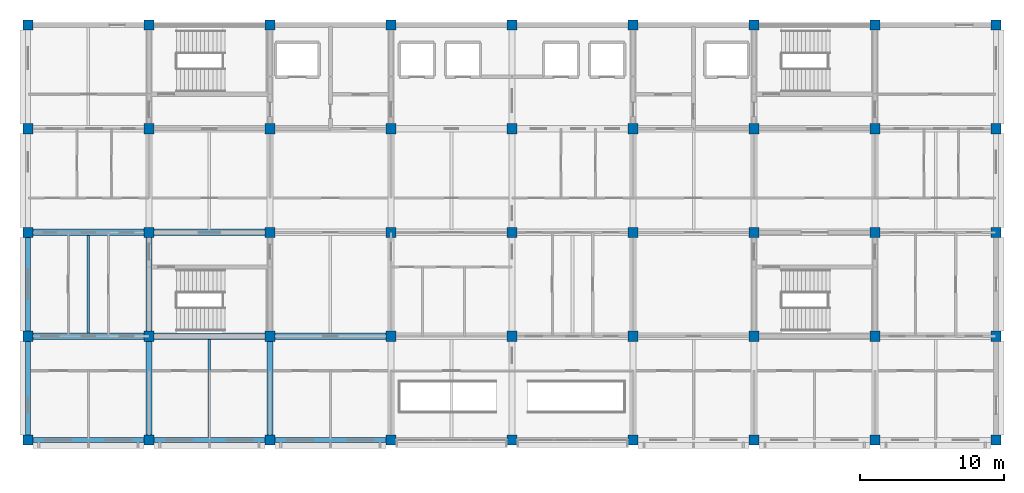
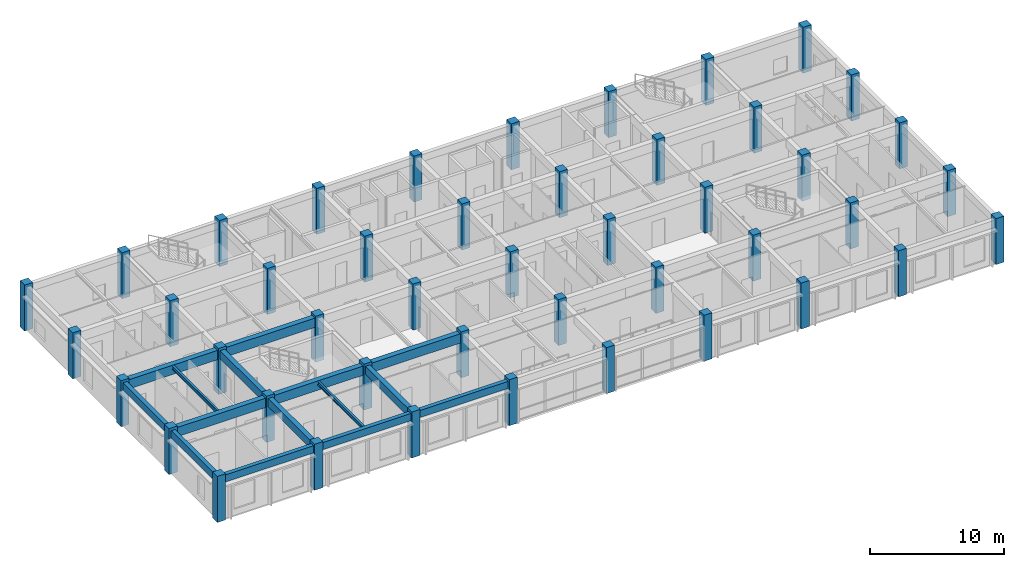
# One storey, part 1 of 17: 45 columns, 15 beams.
"""IFC4 building model written with IfcOpenShell, lengths in metres."""

from ifc_helpers import new_model, si_unit, direction, frame, origin, origin_2d, place, context, subcontext, project, spatial, rectangle, i_section, extrude, material, material_profile, profile_set, type_object, element, save


model = new_model("IFC4")

# Units and contexts
model_context = context("Model", 3, precision=1e-05, world=origin(), true_north=direction((0.0, 1.0)))
body_context = subcontext(model_context, "Body", "Model", "MODEL_VIEW")
ifc_project = project(units=[si_unit("LENGTHUNIT", "METRE"), si_unit("AREAUNIT", "SQUARE_METRE"), si_unit("VOLUMEUNIT", "CUBIC_METRE"), si_unit("PLANEANGLEUNIT", "RADIAN"), si_unit("MASSUNIT", "GRAM", prefix="KILO")], contexts=[model_context])

# Site, building, storey
site_placement = place(None, origin())
site = spatial("IfcSite", under=ifc_project, at=site_placement, CompositionType="ELEMENT")
building_placement = place(site_placement, origin())
building = spatial("IfcBuilding", under=site, at=building_placement, Name="Chengyuan Square Courthouse", CompositionType="ELEMENT")
storey_placement = place(building_placement, frame((0.0, 0.0, 51.89990234375)))
storey = spatial("IfcBuildingStorey", under=building, at=storey_placement, Name="L12", CompositionType="ELEMENT", Elevation=51.89990234375)

# Columns
ifc_material_1 = material(Name="Concrete C40", Category="concrete")
ifc_material_profile_1 = material_profile(ifc_material_1, rectangle(XDim=0.699951171875, YDim=0.699951171875, at=origin_2d()), Name="RC-COL-700x700")
ifc_profile_set_1 = profile_set([ifc_material_profile_1], Name="Concrete C40")
column_type = type_object("IfcColumnType", Name="CL-06", PredefinedType="COLUMN", material=ifc_profile_set_1)
for number, where, z_axis, x_axis, name in (
    (1, (50.39990234375, 79.199951171875, 0.0), (0.0, 0.0, 1.0), (1.0, 0.0, 0.0), "Column CL-L12-001"),
    (2, (50.39990234375, 86.39990234375, 0.0), (0.0, 0.0, 1.0), (1.0, 0.0, 0.0), "Column CL-L12-002"),
    (3, (50.39990234375, 93.60009765625, 0.0), (0.0, 0.0, 1.0), (1.0, 0.0, 0.0), "Column CL-L12-003"),
    (4, (50.39990234375, 100.800048828125, 0.0), (0.0, 0.0, 1.0), (1.0, 0.0, 0.0), "Column CL-L12-004"),
    (5, (50.39990234375, 108.0, 0.0), (0.0, 0.0, 1.0), (1.0, 0.0, 0.0), "Column CL-L12-005"),
    (6, (58.800048828125, 79.199951171875, 0.0), (0.0, 0.0, 1.0), (1.0, 0.0, 0.0), "Column CL-L12-006"),
    (7, (58.800048828125, 86.39990234375, 0.0), (0.0, 0.0, 1.0), (1.0, 0.0, 0.0), "Column CL-L12-007"),
    (8, (58.800048828125, 93.60009765625, 0.0), (0.0, 0.0, 1.0), (1.0, 0.0, 0.0), "Column CL-L12-008"),
    (9, (58.800048828125, 100.800048828125, 0.0), (0.0, 0.0, 1.0), (1.0, 0.0, 0.0), "Column CL-L12-009"),
    (10, (58.800048828125, 108.0, 0.0), (0.0, 0.0, 1.0), (1.0, 0.0, 0.0), "Column CL-L12-010"),
    (11, (67.199951171875, 79.199951171875, 0.0), (0.0, 0.0, 1.0), (1.0, 0.0, 0.0), "Column CL-L12-011"),
    (12, (67.199951171875, 86.39990234375, 0.0), (0.0, 0.0, 1.0), (1.0, 0.0, 0.0), "Column CL-L12-012"),
    (13, (67.199951171875, 93.60009765625, 0.0), (0.0, 0.0, 1.0), (1.0, 0.0, 0.0), "Column CL-L12-013"),
    (14, (67.199951171875, 100.800048828125, 0.0), (0.0, 0.0, 1.0), (1.0, 0.0, 0.0), "Column CL-L12-014"),
    (15, (67.199951171875, 108.0, 0.0), (0.0, 0.0, 1.0), (1.0, 0.0, 0.0), "Column CL-L12-015"),
    (16, (75.60009765625, 79.199951171875, 0.0), (0.0, 0.0, 1.0), (1.0, 0.0, 0.0), "Column CL-L12-016"),
    (17, (75.60009765625, 86.39990234375, 0.0), (0.0, 0.0, 1.0), (1.0, 0.0, 0.0), "Column CL-L12-017"),
    (18, (75.60009765625, 93.60009765625, 0.0), (0.0, 0.0, 1.0), (1.0, 0.0, 0.0), "Column CL-L12-018"),
    (19, (75.60009765625, 100.800048828125, 0.0), (0.0, 0.0, 1.0), (1.0, 0.0, 0.0), "Column CL-L12-019"),
    (20, (75.60009765625, 108.0, 0.0), (0.0, 0.0, 1.0), (1.0, 0.0, 0.0), "Column CL-L12-020"),
    (21, (84.0, 79.199951171875, 0.0), (0.0, 0.0, 1.0), (1.0, 0.0, 0.0), "Column CL-L12-021"),
    (22, (84.0, 86.39990234375, 0.0), (0.0, 0.0, 1.0), (1.0, 0.0, 0.0), "Column CL-L12-022"),
    (23, (84.0, 93.60009765625, 0.0), (0.0, 0.0, 1.0), (1.0, 0.0, 0.0), "Column CL-L12-023"),
    (24, (84.0, 100.800048828125, 0.0), (0.0, 0.0, 1.0), (1.0, 0.0, 0.0), "Column CL-L12-024"),
    (25, (84.0, 108.0, 0.0), (0.0, 0.0, 1.0), (1.0, 0.0, 0.0), "Column CL-L12-025"),
    (26, (92.39990234375, 79.199951171875, 0.0), (0.0, 0.0, 1.0), (1.0, 0.0, 0.0), "Column CL-L12-026"),
    (27, (92.39990234375, 86.39990234375, 0.0), (0.0, 0.0, 1.0), (1.0, 0.0, 0.0), "Column CL-L12-027"),
    (28, (92.39990234375, 93.60009765625, 0.0), (0.0, 0.0, 1.0), (1.0, 0.0, 0.0), "Column CL-L12-028"),
    (29, (92.39990234375, 100.800048828125, 0.0), (0.0, 0.0, 1.0), (1.0, 0.0, 0.0), "Column CL-L12-029"),
    (30, (92.39990234375, 108.0, 0.0), (0.0, 0.0, 1.0), (1.0, 0.0, 0.0), "Column CL-L12-030"),
    (31, (100.800048828125, 79.199951171875, 0.0), (0.0, 0.0, 1.0), (1.0, 0.0, 0.0), "Column CL-L12-031"),
    (32, (100.800048828125, 86.39990234375, 0.0), (0.0, 0.0, 1.0), (1.0, 0.0, 0.0), "Column CL-L12-032"),
    (33, (100.800048828125, 93.60009765625, 0.0), (0.0, 0.0, 1.0), (1.0, 0.0, 0.0), "Column CL-L12-033"),
    (34, (100.800048828125, 100.800048828125, 0.0), (0.0, 0.0, 1.0), (1.0, 0.0, 0.0), "Column CL-L12-034"),
    (35, (100.800048828125, 108.0, 0.0), (0.0, 0.0, 1.0), (1.0, 0.0, 0.0), "Column CL-L12-035"),
    (36, (109.199951171875, 79.199951171875, 0.0), (0.0, 0.0, 1.0), (1.0, 0.0, 0.0), "Column CL-L12-036"),
    (37, (109.199951171875, 86.39990234375, 0.0), (0.0, 0.0, 1.0), (1.0, 0.0, 0.0), "Column CL-L12-037"),
    (38, (109.199951171875, 93.60009765625, 0.0), (0.0, 0.0, 1.0), (1.0, 0.0, 0.0), "Column CL-L12-038"),
    (39, (109.199951171875, 100.800048828125, 0.0), (0.0, 0.0, 1.0), (1.0, 0.0, 0.0), "Column CL-L12-039"),
    (40, (109.199951171875, 108.0, 0.0), (0.0, 0.0, 1.0), (1.0, 0.0, 0.0), "Column CL-L12-040"),
    (41, (117.60009765625, 79.199951171875, 0.0), (0.0, 0.0, 1.0), (1.0, 0.0, 0.0), "Column CL-L12-041"),
    (42, (117.60009765625, 86.39990234375, 0.0), (0.0, 0.0, 1.0), (1.0, 0.0, 0.0), "Column CL-L12-042"),
    (43, (117.60009765625, 93.60009765625, 0.0), (0.0, 0.0, 1.0), (1.0, 0.0, 0.0), "Column CL-L12-043"),
    (44, (117.60009765625, 100.800048828125, 0.0), (0.0, 0.0, 1.0), (1.0, 0.0, 0.0), "Column CL-L12-044"),
    (45, (117.60009765625, 108.0, 0.0), (0.0, 0.0, 1.0), (1.0, 0.0, 0.0), "Column CL-L12-045"),
):
    element("IfcColumn", number, at=place(storey_placement, frame(where, z_axis=z_axis, x_axis=x_axis)), inside=storey, type_object=column_type, Name=name, PredefinedType="COLUMN", context=body_context, shape_type="SweptSolid", body=[
        extrude(rectangle(XDim=0.699951171875, YDim=0.699951171875, at=origin_2d()), origin(), (0.0, 0.0, 1.0), 4.2001953125),
    ])

# Beams
ifc_material_profile_2 = material_profile(ifc_material_1, rectangle(XDim=0.449951171875, YDim=0.85009765625, at=origin_2d()), Name="RC-BM-450x850")
ifc_profile_set_2 = profile_set([ifc_material_profile_2], Name="Concrete C40")
beam_type_1 = type_object("IfcBeamType", Name="BM-01", PredefinedType="USERDEFINED", material=ifc_profile_set_2)
beam_1_placement = place(storey_placement, frame((50.39990234375, 86.39990234375, 3.53515625), z_axis=(1.0, 0.0, 0.0), x_axis=(0.0, 1.0, 0.0)))
element("IfcBeam", 46, at=beam_1_placement, inside=storey, type_object=beam_type_1, Name="Girder BM-L12-4254", ObjectType="GIRDER", PredefinedType="USERDEFINED", context=body_context, shape_type="SweptSolid", body=[
    extrude(rectangle(XDim=0.449951171875, YDim=0.85009765625, at=origin_2d()), origin(), (0.0, 0.0, 1.0), 8.400146484375),
])
beam_2_placement = place(storey_placement, frame((58.800048828125, 86.39990234375, 3.53515625), z_axis=(1.0, 0.0, 0.0), x_axis=(0.0, 1.0, 0.0)))
element("IfcBeam", 47, at=beam_2_placement, inside=storey, type_object=beam_type_1, Name="Girder BM-L12-4255", ObjectType="GIRDER", PredefinedType="USERDEFINED", context=body_context, shape_type="SweptSolid", body=[
    extrude(rectangle(XDim=0.449951171875, YDim=0.85009765625, at=origin_2d()), origin(), (0.0, 0.0, 1.0), 8.39990234375),
])
for number, where, z_axis, x_axis, name in (
    (48, (67.199951171875, 86.39990234375, 3.53515625), (1.0, 0.0, 0.0), (0.0, 1.0, 0.0), "Girder BM-L12-4256"),
    (49, (50.39990234375, 93.60009765625, 3.53515625), (1.0, 0.0, 0.0), (0.0, 1.0, 0.0), "Girder BM-L12-4262"),
):
    element("IfcBeam", number, at=place(storey_placement, frame(where, z_axis=z_axis, x_axis=x_axis)), inside=storey, type_object=beam_type_1, Name=name, ObjectType="GIRDER", PredefinedType="USERDEFINED", context=body_context, shape_type="SweptSolid", body=[
        extrude(rectangle(XDim=0.449951171875, YDim=0.85009765625, at=origin_2d()), origin(), (0.0, 0.0, 1.0), 8.400146484375),
    ])
beam_3_placement = place(storey_placement, frame((58.800048828125, 93.60009765625, 3.53515625), z_axis=(1.0, 0.0, 0.0), x_axis=(0.0, 1.0, 0.0)))
element("IfcBeam", 50, at=beam_3_placement, inside=storey, type_object=beam_type_1, Name="Girder BM-L12-4263", ObjectType="GIRDER", PredefinedType="USERDEFINED", context=body_context, shape_type="SweptSolid", body=[
    extrude(rectangle(XDim=0.449951171875, YDim=0.85009765625, at=origin_2d()), origin(), (0.0, 0.0, 1.0), 8.39990234375),
])
ifc_material_profile_3 = material_profile(ifc_material_1, rectangle(XDim=0.39990234375, YDim=0.75, at=origin_2d()), Name="RC-BM-400x750")
ifc_profile_set_3 = profile_set([ifc_material_profile_3], Name="Concrete C40")
beam_type_2 = type_object("IfcBeamType", Name="BM-02", PredefinedType="USERDEFINED", material=ifc_profile_set_3)
beam_4_placement = place(storey_placement, frame((58.800048828125, 79.199951171875, 3.585205078125), z_axis=(0.0, 1.0, 0.0), x_axis=(-1.0, 0.0, 0.0)))
element("IfcBeam", 51, at=beam_4_placement, inside=storey, type_object=beam_type_2, Name="Girder BM-L12-4290", ObjectType="GIRDER", PredefinedType="USERDEFINED", context=body_context, shape_type="SweptSolid", body=[
    extrude(rectangle(XDim=0.39990234375, YDim=0.75, at=origin_2d()), origin(), (0.0, 0.0, 1.0), 7.199951171875),
])
beam_5_placement = place(storey_placement, frame((58.800048828125, 86.39990234375, 3.585205078125), z_axis=(0.0, 1.0, 0.0), x_axis=(-1.0, 0.0, 0.0)))
element("IfcBeam", 52, at=beam_5_placement, inside=storey, type_object=beam_type_2, Name="Girder BM-L12-4291", ObjectType="GIRDER", PredefinedType="USERDEFINED", context=body_context, shape_type="SweptSolid", body=[
    extrude(rectangle(XDim=0.39990234375, YDim=0.75, at=origin_2d()), origin(), (0.0, 0.0, 1.0), 7.2001953125),
])
beam_6_placement = place(storey_placement, frame((67.199951171875, 79.199951171875, 3.585205078125), z_axis=(0.0, 1.0, 0.0), x_axis=(-1.0, 0.0, 0.0)))
element("IfcBeam", 53, at=beam_6_placement, inside=storey, type_object=beam_type_2, Name="Girder BM-L12-4294", ObjectType="GIRDER", PredefinedType="USERDEFINED", context=body_context, shape_type="SweptSolid", body=[
    extrude(rectangle(XDim=0.39990234375, YDim=0.75, at=origin_2d()), origin(), (0.0, 0.0, 1.0), 7.199951171875),
])
ifc_material_profile_4 = material_profile(ifc_material_1, rectangle(XDim=0.35009765625, YDim=0.64990234375, at=origin_2d()), Name="RC-BM-350x650")
ifc_profile_set_4 = profile_set([ifc_material_profile_4], Name="Concrete C40")
beam_type_3 = type_object("IfcBeamType", Name="BM-03", PredefinedType="SPANDREL", material=ifc_profile_set_4)
beam_7_placement = place(storey_placement, frame((50.39990234375, 79.199951171875, 3.635009765625), z_axis=(1.0, 0.0, 0.0), x_axis=(0.0, 1.0, 0.0)))
element("IfcBeam", 54, at=beam_7_placement, inside=storey, type_object=beam_type_3, Name="Girder BM-L12-4246", PredefinedType="SPANDREL", context=body_context, shape_type="SweptSolid", body=[
    extrude(rectangle(XDim=0.35009765625, YDim=0.64990234375, at=origin_2d()), origin(), (0.0, 0.0, 1.0), 8.400146484375),
])
beam_8_placement = place(storey_placement, frame((58.800048828125, 79.199951171875, 3.635009765625), z_axis=(1.0, 0.0, 0.0), x_axis=(0.0, 1.0, 0.0)))
element("IfcBeam", 55, at=beam_8_placement, inside=storey, type_object=beam_type_3, Name="Girder BM-L12-4247", PredefinedType="SPANDREL", context=body_context, shape_type="SweptSolid", body=[
    extrude(rectangle(XDim=0.35009765625, YDim=0.64990234375, at=origin_2d()), origin(), (0.0, 0.0, 1.0), 8.39990234375),
])
beam_9_placement = place(storey_placement, frame((67.199951171875, 79.199951171875, 3.635009765625), z_axis=(1.0, 0.0, 0.0), x_axis=(0.0, 1.0, 0.0)))
element("IfcBeam", 56, at=beam_9_placement, inside=storey, type_object=beam_type_3, Name="Girder BM-L12-4248", PredefinedType="SPANDREL", context=body_context, shape_type="SweptSolid", body=[
    extrude(rectangle(XDim=0.35009765625, YDim=0.64990234375, at=origin_2d()), origin(), (0.0, 0.0, 1.0), 8.400146484375),
])
beam_10_placement = place(storey_placement, frame((50.39990234375, 79.199951171875, 3.635009765625), z_axis=(0.0, 1.0, 0.0), x_axis=(-1.0, 0.0, 0.0)))
element("IfcBeam", 57, at=beam_10_placement, inside=storey, type_object=beam_type_3, Name="Girder BM-L12-4286", PredefinedType="SPANDREL", context=body_context, shape_type="SweptSolid", body=[
    extrude(rectangle(XDim=0.35009765625, YDim=0.64990234375, at=origin_2d()), origin(), (0.0, 0.0, 1.0), 7.199951171875),
])
beam_11_placement = place(storey_placement, frame((50.39990234375, 86.39990234375, 3.635009765625), z_axis=(0.0, 1.0, 0.0), x_axis=(-1.0, 0.0, 0.0)))
element("IfcBeam", 58, at=beam_11_placement, inside=storey, type_object=beam_type_3, Name="Girder BM-L12-4287", PredefinedType="SPANDREL", context=body_context, shape_type="SweptSolid", body=[
    extrude(rectangle(XDim=0.35009765625, YDim=0.64990234375, at=origin_2d()), origin(), (0.0, 0.0, 1.0), 7.2001953125),
])
ifc_material_2 = material(Name="Steel Q355B", Category="steel")
ifc_material_profile_5 = material_profile(ifc_material_2, i_section(OverallWidth=0.175048828125, OverallDepth=0.35009765625, WebThickness=0.007080078125, FlangeThickness=0.010986328125, at=origin_2d()), Name="HN 350x175x7x11")
ifc_profile_set_5 = profile_set([ifc_material_profile_5], Name="Steel Q355B")
beam_type_4 = type_object("IfcBeamType", Name="BM-08", PredefinedType="BEAM", material=ifc_profile_set_5)
beam_12_placement = place(storey_placement, frame((54.60009765625, 86.625, 3.78515625), z_axis=(0.0, 1.0, 0.0), x_axis=(-1.0, 0.0, 0.0)))
element("IfcBeam", 59, at=beam_12_placement, inside=storey, type_object=beam_type_4, Name="Secondary Floor Beam SBM-L12-4322", PredefinedType="BEAM", context=body_context, shape_type="SweptSolid", body=[
    extrude(i_section(OverallWidth=0.175048828125, OverallDepth=0.35009765625, WebThickness=0.007080078125, FlangeThickness=0.010986328125, at=origin_2d()), origin(), (0.0, 0.0, 1.0), 6.75),
])
beam_13_placement = place(storey_placement, frame((63.0, 79.375, 3.78515625), z_axis=(0.0, 1.0, 0.0), x_axis=(-1.0, 0.0, 0.0)))
element("IfcBeam", 60, at=beam_13_placement, inside=storey, type_object=beam_type_4, Name="Secondary Floor Beam SBM-L12-4324", PredefinedType="BEAM", context=body_context, shape_type="SweptSolid", body=[
    extrude(i_section(OverallWidth=0.175048828125, OverallDepth=0.35009765625, WebThickness=0.007080078125, FlangeThickness=0.010986328125, at=origin_2d()), origin(), (0.0, 0.0, 1.0), 6.800048828125),
])

save(model, "model.ifc")
